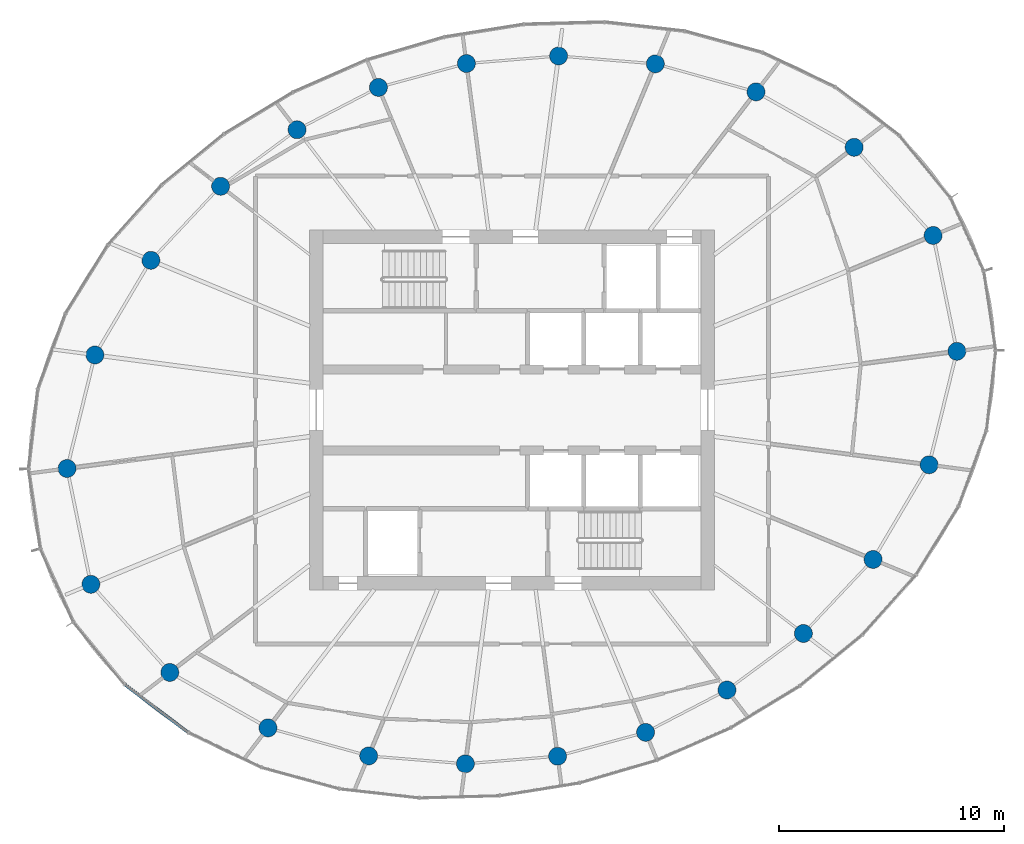
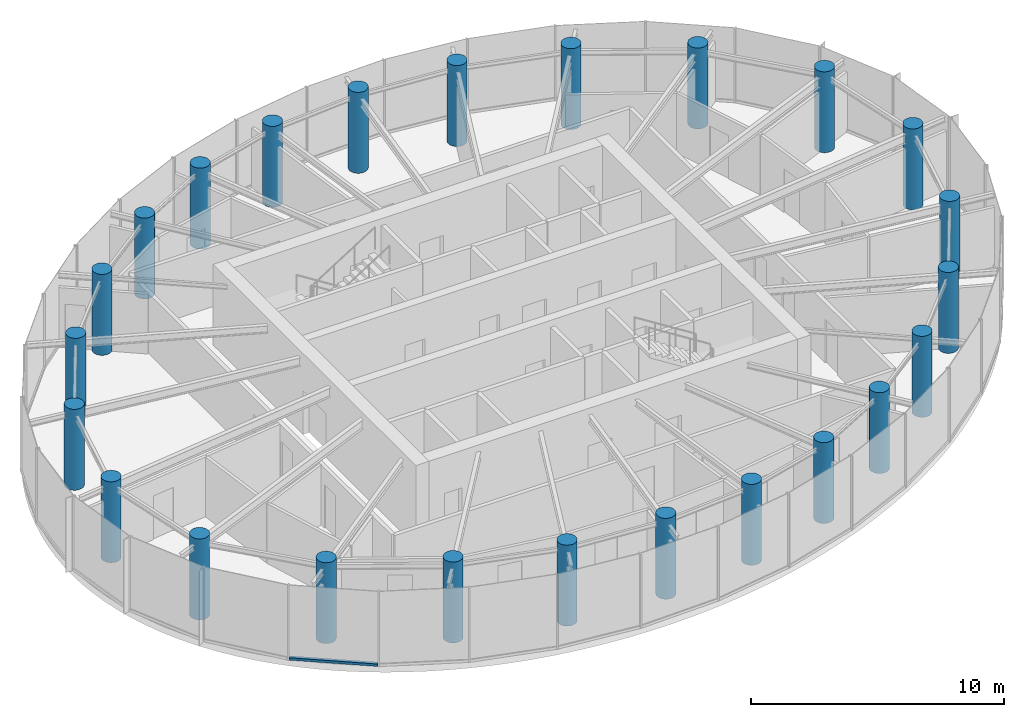
# One storey, part 1 of 13: 24 columns, 1 member, 1 element without a shape of its own.
"""IFC4 building model written with IfcOpenShell, lengths in metres."""

from ifc_helpers import new_model, si_unit, direction, frame, origin, origin_2d, place, context, subcontext, project, spatial, rectangle, circle, extrude, source, transform, mapped, material, layer, layer_set, material_profile, profile_set, type_object, element, aggregate, save


model = new_model("IFC4")

# Units and contexts
model_context = context("Model", 3, precision=1e-05, world=origin(), true_north=direction((0.0, 1.0)))
body_context = subcontext(model_context, "Body", "Model", "MODEL_VIEW")
ifc_project = project(units=[si_unit("LENGTHUNIT", "METRE"), si_unit("AREAUNIT", "SQUARE_METRE"), si_unit("VOLUMEUNIT", "CUBIC_METRE"), si_unit("PLANEANGLEUNIT", "RADIAN"), si_unit("MASSUNIT", "GRAM", prefix="KILO")], contexts=[model_context])

# Site, building, storey
site_placement = place(None, origin())
site = spatial("IfcSite", under=ifc_project, at=site_placement, CompositionType="ELEMENT")
building_placement = place(site_placement, origin())
building = spatial("IfcBuilding", under=site, at=building_placement, Name="Spindrift Exchange Tower", CompositionType="ELEMENT")
storey_placement = place(building_placement, frame((0.0, 0.0, 254.0)))
storey = spatial("IfcBuildingStorey", under=building, at=storey_placement, Name="L62", CompositionType="ELEMENT", Elevation=254.0)

# Columns
ifc_material_1 = material(Name="Concrete 40 MPa", Category="concrete")
ifc_material_profile_1 = material_profile(ifc_material_1, circle(Radius=0.39990234375, at=origin_2d()), Name="RC D800")
ifc_profile_set_1 = profile_set([ifc_material_profile_1], Name="Concrete 40 MPa")
column_type = type_object("IfcColumnType", Name="RC Perimeter Column D800 Concrete 40 MPa", PredefinedType="COLUMN", material=ifc_profile_set_1)
shared_shape_1 = source(origin(), body_context, "Body", "SweptSolid", [
    extrude(circle(Radius=0.39990234375, at=origin_2d()), origin(), (0.0, 0.0, 1.0), 3.89990234375),
])
for number, where, z_axis, x_axis, name in (
    (1, (71.77734375, 50.603759765625, 0.0), (0.0, 0.0, 1.0), (1.0, 0.0, 0.0), "Perimeter column P5-01 L62"),
    (2, (70.719482421875, 55.75390625, 0.0), (0.0, 0.0, 1.0), (1.0, 0.0, 0.0), "Perimeter column P5-02 L62"),
    (3, (67.20947265625, 59.670654296875, 0.0), (0.0, 0.0, 1.0), (1.0, 0.0, 0.0), "Perimeter column P5-03 L62"),
    (4, (62.846923828125, 62.135986328125, 0.0), (0.0, 0.0, 1.0), (1.0, 0.0, 0.0), "Perimeter column P5-04 L62"),
    (5, (58.37158203125, 63.382568359375, 0.0), (0.0, 0.0, 1.0), (1.0, 0.0, 0.0), "Perimeter column P5-05 L62"),
    (6, (54.071044921875, 63.731201171875, 0.0), (0.0, 0.0, 1.0), (1.0, 0.0, 0.0), "Perimeter column P5-06 L62"),
    (7, (49.97314453125, 63.39599609375, 0.0), (0.0, 0.0, 1.0), (1.0, 0.0, 0.0), "Perimeter column P5-07 L62"),
    (8, (46.062744140625, 62.333984375, 0.0), (0.0, 0.0, 1.0), (1.0, 0.0, 0.0), "Perimeter column P5-08 L62"),
    (9, (42.4443359375, 60.453369140625, 0.0), (0.0, 0.0, 1.0), (1.0, 0.0, 0.0), "Perimeter column P5-09 L62"),
    (10, (39.046875, 57.939208984375, 0.0), (0.0, 0.0, 1.0), (1.0, 0.0, 0.0), "Perimeter column P5-10 L62"),
    (11, (35.948486328125, 54.648681640625, 0.0), (0.0, 0.0, 1.0), (1.0, 0.0, 0.0), "Perimeter column P5-11 L62"),
    (12, (33.4599609375, 50.44091796875, 0.0), (0.0, 0.0, 1.0), (1.0, 0.0, 0.0), "Perimeter column P5-12 L62"),
    (13, (32.22265625, 45.396240234375, 0.0), (0.0, 0.0, 1.0), (1.0, 0.0, 0.0), "Perimeter column P5-13 L62"),
    (14, (33.280517578125, 40.24609375, 0.0), (0.0, 0.0, 1.0), (1.0, 0.0, 0.0), "Perimeter column P5-14 L62"),
    (15, (36.79052734375, 36.329345703125, 0.0), (0.0, 0.0, 1.0), (1.0, 0.0, 0.0), "Perimeter column P5-15 L62"),
    (16, (41.153076171875, 33.864013671875, 0.0), (0.0, 0.0, 1.0), (1.0, 0.0, 0.0), "Perimeter column P5-16 L62"),
    (17, (45.62841796875, 32.617431640625, 0.0), (0.0, 0.0, 1.0), (1.0, 0.0, 0.0), "Perimeter column P5-17 L62"),
    (18, (49.928955078125, 32.268798828125, 0.0), (0.0, 0.0, 1.0), (1.0, 0.0, 0.0), "Perimeter column P5-18 L62"),
    (19, (54.02685546875, 32.60400390625, 0.0), (0.0, 0.0, 1.0), (1.0, 0.0, 0.0), "Perimeter column P5-19 L62"),
    (20, (57.937255859375, 33.666015625, 0.0), (0.0, 0.0, 1.0), (1.0, 0.0, 0.0), "Perimeter column P5-20 L62"),
    (21, (61.5556640625, 35.546630859375, 0.0), (0.0, 0.0, 1.0), (1.0, 0.0, 0.0), "Perimeter column P5-21 L62"),
    (22, (64.953125, 38.060791015625, 0.0), (0.0, 0.0, 1.0), (1.0, 0.0, 0.0), "Perimeter column P5-22 L62"),
    (23, (68.051513671875, 41.351318359375, 0.0), (0.0, 0.0, 1.0), (1.0, 0.0, 0.0), "Perimeter column P5-23 L62"),
    (24, (70.5400390625, 45.55908203125, 0.0), (0.0, 0.0, 1.0), (1.0, 0.0, 0.0), "Perimeter column P5-24 L62"),
):
    element("IfcColumn", number, at=place(storey_placement, frame(where, z_axis=z_axis, x_axis=x_axis)), inside=storey, type_object=column_type, Name=name, PredefinedType="COLUMN", context=body_context, shape_type="MappedRepresentation", body=[
        mapped(shared_shape_1, transform((0.0, 0.0, 0.0), scale=1.0)),
    ])

# Curtain wall, member
ifc_material_2 = material(Name="Fritted laminated glass with bronze frame", Category="glass")
ifc_layer = layer(ifc_material_2, 0.159912109375)
ifc_layer_set = layer_set([ifc_layer], Name="ZONE 5 BRONZE FRITTED WALL")
curtain_wall_type = type_object("IfcCurtainWallType", Name="ZONE 5 BRONZE FRITTED WALL", PredefinedType="NOTDEFINED", material=ifc_layer_set)
curtain_wall_placement = place(storey_placement, origin())
curtain_wall = element("IfcCurtainWall", 25, at=curtain_wall_placement, inside=storey, type_object=curtain_wall_type, Name="L62 Zone 5 Bronze Fritted Wall run 4", PredefinedType="NOTDEFINED")
ifc_material_3 = material(Name="Bronze anodised aluminium", Category="aluminium")
ifc_material_profile_2 = material_profile(ifc_material_3, rectangle(XDim=0.139892578125, YDim=0.1201171875, at=origin_2d()), Name="ZONE 5 BRONZE FRITTED WALL TRANSOM 140X120")
ifc_profile_set_2 = profile_set([ifc_material_profile_2], Name="Bronze anodised aluminium")
member_type = type_object("IfcMemberType", Name="ZONE 5 BRONZE FRITTED WALL TRANSOM 140X120", PredefinedType="USERDEFINED", material=ifc_profile_set_2)
shared_shape_2 = source(origin(), body_context, "Body", "SweptSolid", [
    extrude(rectangle(XDim=0.139892578125, YDim=0.1201171875, at=origin_2d()), origin(), (0.0, 0.0, 1.0), 3.521484375),
])
member_placement = place(storey_placement, frame((34.7958984375, 35.784912109375, 0.06005859375), z_axis=(0.797564144464, -0.603234146469, 0.0), x_axis=(0.603234146469, 0.797564144464, 0.0)))
member = element("IfcMember", 26, at=member_placement, type_object=member_type, Name="L62 transom CW-5.20", ObjectType="TRANSOM", PredefinedType="USERDEFINED", context=body_context, shape_type="MappedRepresentation", body=[
    mapped(shared_shape_2, transform((0.0, 0.0, 0.0), scale=1.0)),
])
aggregate(curtain_wall, [member])

save(model, "model.ifc")
